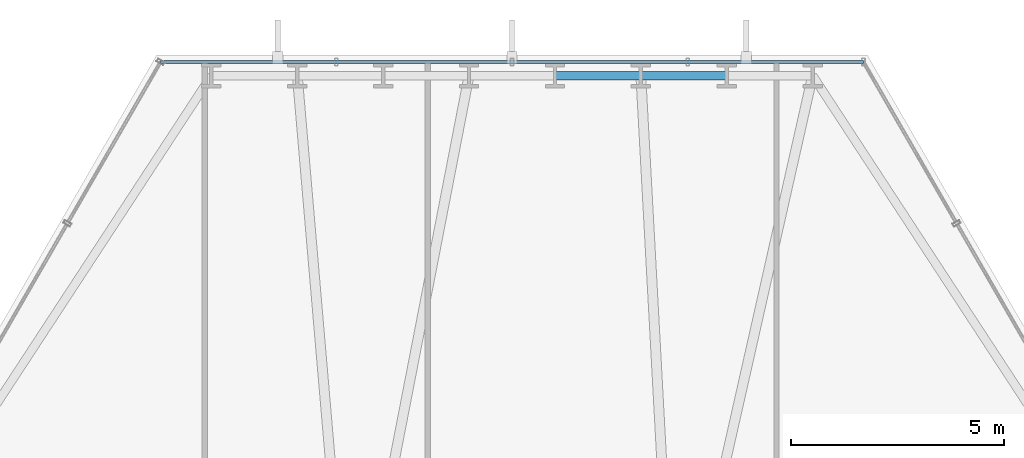
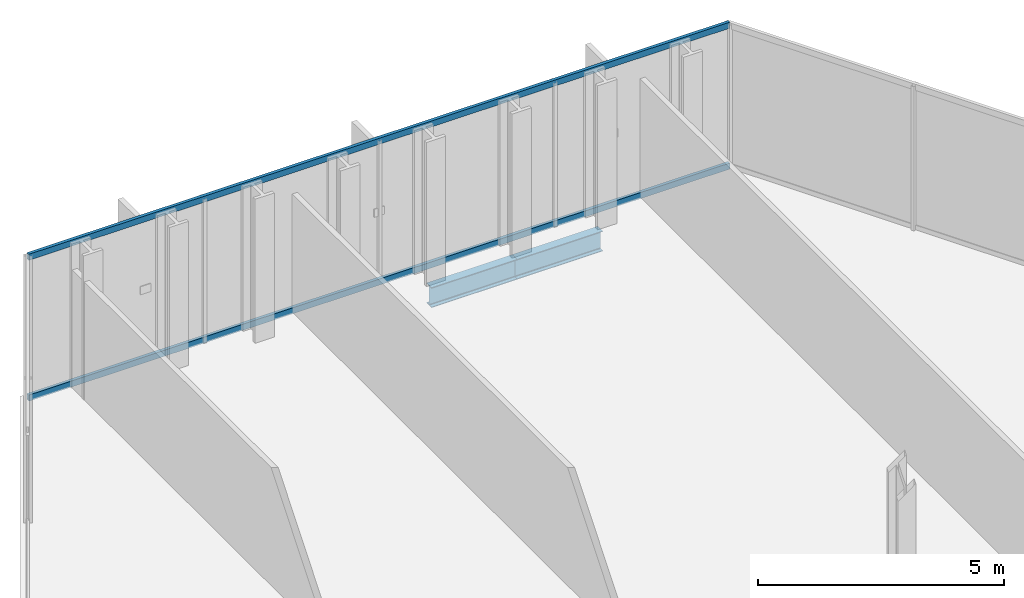
# One storey, part 23 of 33: 2 beams, 2 members, 1 element without a shape of its own.
"""IFC4 building model written with IfcOpenShell, lengths in metres."""

from ifc_helpers import new_model, si_unit, direction, frame, origin, origin_2d, place, context, subcontext, project, spatial, hollow_rectangle, i_section, extrude, material, layer, layer_set, material_profile, profile_set, type_object, element, aggregate, save


model = new_model("IFC4")

# Units and contexts
model_context = context("Model", 3, precision=1e-05, world=origin(), true_north=direction((0.0, 1.0)))
body_context = subcontext(model_context, "Body", "Model", "MODEL_VIEW")
ifc_project = project(units=[si_unit("LENGTHUNIT", "METRE"), si_unit("AREAUNIT", "SQUARE_METRE"), si_unit("VOLUMEUNIT", "CUBIC_METRE"), si_unit("PLANEANGLEUNIT", "RADIAN"), si_unit("MASSUNIT", "GRAM", prefix="KILO")], contexts=[model_context])

# Site, building, storey
site_placement = place(None, origin())
site = spatial("IfcSite", under=ifc_project, at=site_placement, CompositionType="ELEMENT")
building_placement = place(site_placement, origin())
building = spatial("IfcBuilding", under=site, at=building_placement, Name="Ndaravel Arena Tower", CompositionType="ELEMENT")
storey_placement = place(building_placement, frame((0.0, 0.0, 36.0)))
storey = spatial("IfcBuildingStorey", under=building, at=storey_placement, Name="L06", CompositionType="ELEMENT", Elevation=36.0)

# Beams
ifc_material_1 = material(Name="Steel S355", Category="steel")
ifc_material_profile_1 = material_profile(ifc_material_1, i_section(OverallWidth=0.199951171875, OverallDepth=0.5, WebThickness=0.01025390625, FlangeThickness=0.01611328125, FilletRadius=0.02099609375, at=origin_2d()), Name="IPE 500")
ifc_profile_set_1 = profile_set([ifc_material_profile_1], Name="Steel S355")
beam_type = type_object("IfcBeamType", Name="BM-SPAN-IPE500", PredefinedType="SPANDREL", material=ifc_profile_set_1)
for number, where, z_axis, x_axis, name in (
    (1, (47.03369140625, 45.590087890625, -0.469970703125), (-1.0, 0.0, 0.0), (0.0, -1.0, 0.0), "L06 Perimeter Spandrel Beam SP-12"),
    (2, (45.020263671875, 45.590087890625, -0.469970703125), (-1.0, 0.0, 0.0), (0.0, -1.0, 0.0), "L06 Perimeter Spandrel Beam SP-13"),
):
    element("IfcBeam", number, at=place(storey_placement, frame(where, z_axis=z_axis, x_axis=x_axis)), inside=storey, type_object=beam_type, Name=name, PredefinedType="SPANDREL", context=body_context, shape_type="SweptSolid", body=[
        extrude(i_section(OverallWidth=0.199951171875, OverallDepth=0.5, WebThickness=0.01025390625, FlangeThickness=0.01611328125, FilletRadius=0.02099609375, at=origin_2d()), origin(), (0.0, 0.0, 1.0), 2.013427734375),
    ])

# Curtain wall, members
ifc_material_2 = material(Name="Aluminium", Category="aluminium")
ifc_layer = layer(ifc_material_2, 0.179931640625)
ifc_layer_set = layer_set([ifc_layer], Name="Aluminium")
curtain_wall_type = type_object("IfcCurtainWallType", Name="CW-SYS-01", PredefinedType="NOTDEFINED", material=ifc_layer_set)
curtain_wall_placement = place(storey_placement, origin())
curtain_wall = element("IfcCurtainWall", 3, at=curtain_wall_placement, inside=storey, type_object=curtain_wall_type, Name="L06 Faceted Crystal Curtain Wall CW-L06-E04", PredefinedType="NOTDEFINED")
ifc_material_3 = material(Name="Aluminium", Category="aluminium")
ifc_material_profile_2 = material_profile(ifc_material_3, hollow_rectangle(XDim=0.074951171875, YDim=0.14990234375, WallThickness=0.00390625, at=origin_2d()), Name="CW TRANSOM 75x150x4")
ifc_profile_set_2 = profile_set([ifc_material_profile_2], Name="Aluminium")
member_type = type_object("IfcMemberType", Name="MEM-CW-TRN150", PredefinedType="USERDEFINED", material=ifc_profile_set_2)
member_1_placement = place(storey_placement, frame((50.23876953125, 45.909912109375, 0.0400390625), z_axis=(-1.0, 0.0, 0.0), x_axis=(0.0, -1.0, 0.0)))
member_1 = element("IfcMember", 4, at=member_1_placement, type_object=member_type, Name="CW-L06-E04 Transom 01", ObjectType="TRANSOM", PredefinedType="USERDEFINED", context=body_context, shape_type="SweptSolid", body=[
    extrude(hollow_rectangle(XDim=0.074951171875, YDim=0.14990234375, WallThickness=0.00390625, at=origin_2d()), origin(), (0.0, 0.0, 1.0), 16.4775390625),
])
member_2_placement = place(storey_placement, frame((50.23876953125, 45.909912109375, 3.5400390625), z_axis=(-1.0, 0.0, 0.0), x_axis=(0.0, -1.0, 0.0)))
member_2 = element("IfcMember", 5, at=member_2_placement, type_object=member_type, Name="CW-L06-E04 Transom 02", ObjectType="TRANSOM", PredefinedType="USERDEFINED", context=body_context, shape_type="SweptSolid", body=[
    extrude(hollow_rectangle(XDim=0.074951171875, YDim=0.14990234375, WallThickness=0.00390625, at=origin_2d()), origin(), (0.0, 0.0, 1.0), 16.4775390625),
])
aggregate(curtain_wall, [member_1, member_2])

save(model, "model.ifc")
